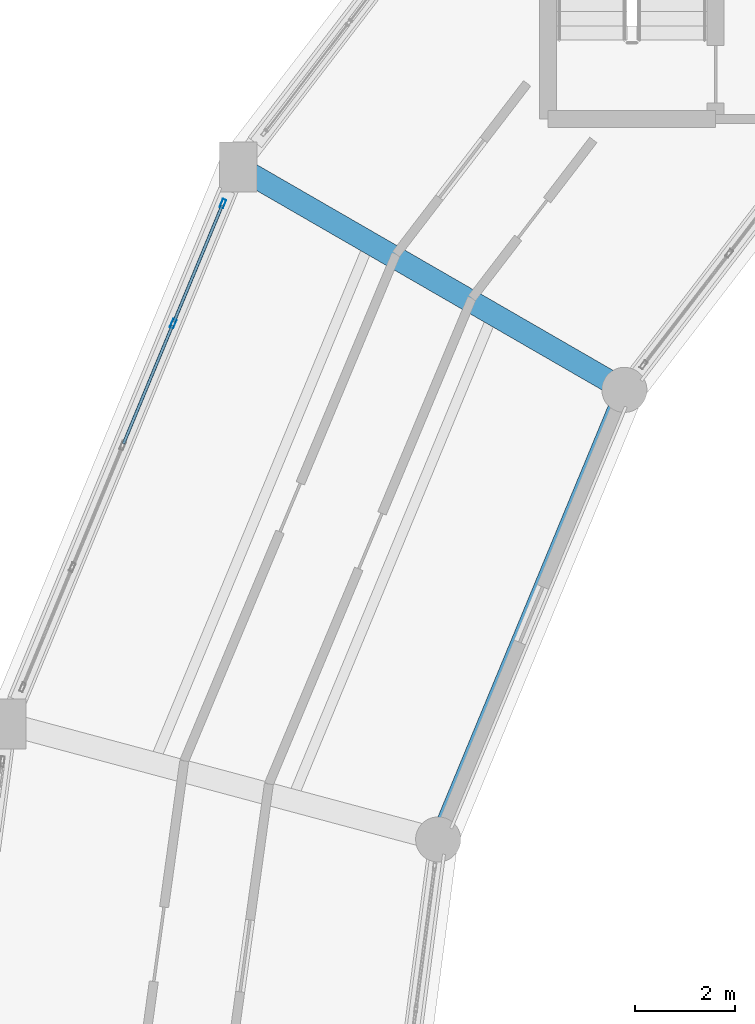
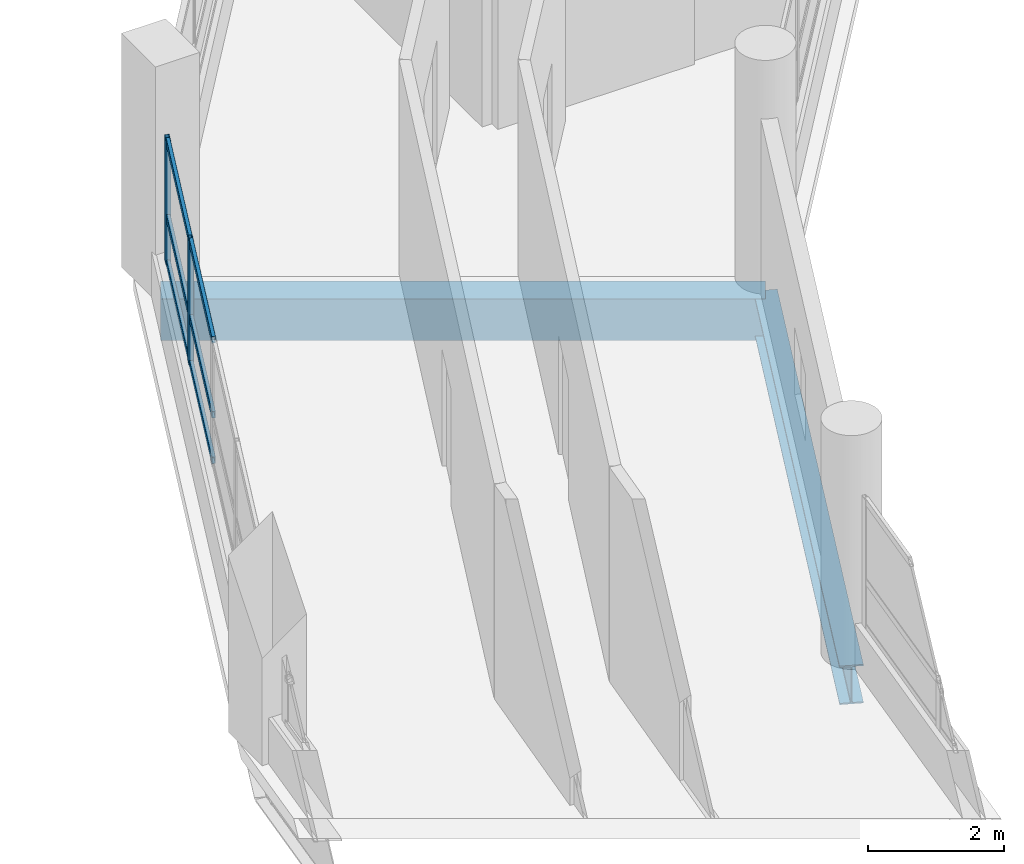
# One storey, part 49 of 128: 8 members, 2 beams, 1 element without a shape of its own.
"""IFC4 building model written with IfcOpenShell, lengths in metres."""

import ifcopenshell
import ifcopenshell.guid

model = None  # the IFC model being written
_history = None  # IfcOwnerHistory: only IFC2X3 demands one
_inside = {}  # id of a spatial element -> (the spatial element, [elements in it])
_under = {}  # id of a project, library or spatial element -> (it, [spatial elements below it])
_declared = {}  # id of a project -> (the project, [libraries it declares])
_typed = {}  # id of a type object -> (the type object, [elements of that type])
_made_of = {}  # id of a material, layer set ... -> (it, [elements and type objects made of it])


def new_model(schema):
    """Start an empty IFC model of exactly this schema.

    Asked for "IFC4X3", IfcOpenShell would pick the latest addendum, in which some entities
    have other attributes; the version numbers below select the first issue.
    IFC2X3 requires an IfcOwnerHistory on every rooted entity: one is made here for all.
    """
    global model, _history
    if schema == "IFC4X3":
        model = ifcopenshell.file(schema_version=(4, 3, 0, 0))
    else:
        model = ifcopenshell.file(schema=schema)
    _inside.clear()
    _under.clear()
    _declared.clear()
    _typed.clear()
    _made_of.clear()
    _history = None
    if model.schema == "IFC2X3":
        org = make("IfcOrganization", Name="unknown")
        user = make(
            "IfcPersonAndOrganization",
            ThePerson=make("IfcPerson", FamilyName="unknown"),
            TheOrganization=org,
        )
        app = make(
            "IfcApplication",
            ApplicationDeveloper=org,
            Version="unknown",
            ApplicationFullName="unknown",
            ApplicationIdentifier="unknown",
        )
        _history = make(
            "IfcOwnerHistory",
            OwningUser=user,
            OwningApplication=app,
            ChangeAction="ADDED",
            CreationDate=0,
        )
    return model


def make(cls, **values):
    """One entity of the class cls with the attributes given. An attribute that is None is left unset."""
    return model.create_entity(
        cls, **{name: value for name, value in values.items() if value is not None}
    )


def rooted(cls, **values):
    """An entity with a GlobalId (a new one), such as an element, a storey or a relation."""
    return make(cls, GlobalId=ifcopenshell.guid.new(), OwnerHistory=_history, **values)


def si_unit(unit_type, name, prefix=None):
    """IfcSIUnit, for example si_unit("LENGTHUNIT", "METRE", prefix="MILLI")."""
    return make("IfcSIUnit", UnitType=unit_type, Prefix=prefix, Name=name)


def assignment(units):
    """IfcUnitAssignment: the units of a project."""
    return None if units is None else make("IfcUnitAssignment", Units=units)


def point(xyz):
    """IfcCartesianPoint."""
    return None if xyz is None else make("IfcCartesianPoint", Coordinates=xyz)


def direction(xyz):
    """IfcDirection."""
    return None if xyz is None else make("IfcDirection", DirectionRatios=xyz)


def frame(location, z_axis=None, x_axis=None):
    """IfcAxis2Placement3D, a coordinate frame: its origin and axes. An axis left out is left unset."""
    return make(
        "IfcAxis2Placement3D",
        Location=point(location),
        Axis=direction(z_axis),
        RefDirection=direction(x_axis),
    )


def frame_2d(location, x_axis=None):
    """IfcAxis2Placement2D, a coordinate frame in the plane: its origin and x axis."""
    return make(
        "IfcAxis2Placement2D", Location=point(location), RefDirection=direction(x_axis)
    )


def origin():
    """The frame at (0, 0, 0) with its axes left unset."""
    return frame((0.0, 0.0, 0.0))


def origin_2d():
    """The frame at (0, 0) in the plane with its x axis left unset."""
    return frame_2d((0.0, 0.0))


def place(relative_to, where):
    """IfcLocalPlacement: puts the frame where relative to a parent placement (None: the world)."""
    return make(
        "IfcLocalPlacement", PlacementRelTo=relative_to, RelativePlacement=where
    )


def context(
    kind, dimensions, precision=None, world=None, true_north=None, identifier=None
):
    """IfcGeometricRepresentationContext, for example the 3D "Model" context."""
    return make(
        "IfcGeometricRepresentationContext",
        ContextIdentifier=identifier,
        ContextType=kind,
        CoordinateSpaceDimension=dimensions,
        Precision=precision,
        WorldCoordinateSystem=world,
        TrueNorth=true_north,
    )


def subcontext(parent, identifier, kind, view, scale=None):
    """IfcGeometricRepresentationSubContext, for example "Body" below "Model"."""
    return make(
        "IfcGeometricRepresentationSubContext",
        ContextIdentifier=identifier,
        ContextType=kind,
        ParentContext=parent,
        TargetScale=scale,
        TargetView=view,
    )


def project(units=None, contexts=None):
    """IfcProject with its units and contexts."""
    return rooted(
        "IfcProject",
        Name="project",
        RepresentationContexts=contexts,
        UnitsInContext=assignment(units),
    )


def spatial(cls, under=None, at=None, **own):
    """A site, building, storey or space (cls), placed at a placement, below another one or the project."""
    s = rooted(cls, ObjectPlacement=at, **own)
    if under is not None:
        _under.setdefault(under.id(), (under, []))[1].append(s)
    return s


def profile(cls, at=None, kind="AREA", **sizes):
    """A parametric profile (cls). Its sizes go by their IFC names, for example OverallWidth=200.0."""
    return make(cls, ProfileType=kind, Position=at, **sizes)


def rectangle(**sizes):
    """IfcRectangleProfileDef."""
    return profile("IfcRectangleProfileDef", **sizes)


def hollow_rectangle(**sizes):
    """IfcRectangleHollowProfileDef."""
    return profile("IfcRectangleHollowProfileDef", **sizes)


def i_section(**sizes):
    """IfcIShapeProfileDef."""
    return profile("IfcIShapeProfileDef", **sizes)


def extrude(swept, where, along, depth):
    """IfcExtrudedAreaSolid: the profile swept, set in the frame where, extruded along a direction by depth."""
    return make(
        "IfcExtrudedAreaSolid",
        SweptArea=swept,
        Position=where,
        ExtrudedDirection=direction(along),
        Depth=depth,
    )


def shape(context_of_items, identifier, shape_type, items):
    """IfcShapeRepresentation: the items that make up one representation, for example the "Body"."""
    return make(
        "IfcShapeRepresentation",
        ContextOfItems=context_of_items,
        RepresentationIdentifier=identifier,
        RepresentationType=shape_type,
        Items=items,
    )


def material(Name=None, Category=None):
    """IfcMaterial."""
    return make("IfcMaterial", Name=Name, Category=Category)


def layer(
    of_material, thickness, ventilated=None, Name=None, Category=None, Priority=None
):
    """IfcMaterialLayer: one layer of a wall or slab, of a material (None: an air gap)."""
    return make(
        "IfcMaterialLayer",
        Material=of_material,
        LayerThickness=thickness,
        IsVentilated=ventilated,
        Name=Name,
        Category=Category,
        Priority=Priority,
    )


def layer_set(layers, Name=None):
    """IfcMaterialLayerSet."""
    return make("IfcMaterialLayerSet", MaterialLayers=layers, LayerSetName=Name)


def material_profile(
    of_material, cross_section, Name=None, Category=None, Priority=None
):
    """IfcMaterialProfile: a cross section and its material."""
    return make(
        "IfcMaterialProfile",
        Name=Name,
        Material=of_material,
        Profile=cross_section,
        Priority=Priority,
        Category=Category,
    )


def profile_set(profiles, Name=None, composite=None):
    """IfcMaterialProfileSet."""
    return make(
        "IfcMaterialProfileSet",
        Name=Name,
        MaterialProfiles=profiles,
        CompositeProfile=composite,
    )


def made_of(thing, what):
    """Note that an element or type object is made of a material, layer set ...; save() writes the relation."""
    if what is not None:
        _made_of.setdefault(what.id(), (what, []))[1].append(thing)
    return thing


def type_object(cls, material=None, **own):
    """A type object (cls), such as IfcWallType, which elements share."""
    return made_of(rooted(cls, **own), material)


def element(
    cls,
    number,
    at=None,
    inside=None,
    cuts=None,
    type_object=None,
    material=None,
    context=None,
    identifier="Body",
    shape_type=None,
    held_by="IfcProductDefinitionShape",
    body=None,
    shapes=None,
    **own,
):
    """One element of the class cls, such as IfcWall. Its Tag is "e" and its number.

    at: its placement. inside: the storey or other place that contains it. cuts: it is an
    opening in that element (IfcRelVoidsElement). A single representation is given by context,
    identifier, shape_type and body (its items); several are given by shapes. held_by: the class
    of the entity that holds the representations. save() writes the other relations.
    """
    e = rooted(cls, Tag="e%d" % number, ObjectPlacement=at, **own)
    if body is not None:
        shapes = [shape(context, identifier, shape_type, body)]
    if shapes is not None:
        e.Representation = make(held_by, Representations=shapes)
    if inside is not None:
        _inside.setdefault(inside.id(), (inside, []))[1].append(e)
    if cuts is not None:
        rooted(
            "IfcRelVoidsElement", RelatingBuildingElement=cuts, RelatedOpeningElement=e
        )
    if type_object is not None:
        _typed.setdefault(type_object.id(), (type_object, []))[1].append(e)
    return made_of(e, material)


def aggregate(whole, parts):
    """IfcRelAggregates: a whole, such as a stair, and the parts it consists of."""
    return rooted("IfcRelAggregates", RelatingObject=whole, RelatedObjects=parts)


def save(model, path):
    """Write the relations noted so far, then the file.

    IfcRelAggregates (storeys below a building ...), IfcRelContainedInSpatialStructure (elements
    in a storey), IfcRelDefinesByType, IfcRelAssociatesMaterial and IfcRelDeclares: one each for
    every whole, place, type object, material and project.
    """
    for whole, parts in _under.values():
        aggregate(whole, parts)
    for where, things in _inside.values():
        rooted(
            "IfcRelContainedInSpatialStructure",
            RelatedElements=things,
            RelatingStructure=where,
        )
    for kind, things in _typed.values():
        rooted("IfcRelDefinesByType", RelatedObjects=things, RelatingType=kind)
    for what, things in _made_of.values():
        rooted("IfcRelAssociatesMaterial", RelatedObjects=things, RelatingMaterial=what)
    for by, libraries in _declared.values():
        rooted("IfcRelDeclares", RelatingContext=by, RelatedDefinitions=libraries)
    model.write(path)


model = new_model("IFC4")

# Units and contexts
model_context = context("Model", 3, precision=1e-05, world=origin(), true_north=direction((0.0, 1.0)))
body_context = subcontext(model_context, "Body", "Model", "MODEL_VIEW")
ifc_project = project(units=[si_unit("LENGTHUNIT", "METRE"), si_unit("AREAUNIT", "SQUARE_METRE"), si_unit("VOLUMEUNIT", "CUBIC_METRE"), si_unit("PLANEANGLEUNIT", "RADIAN"), si_unit("MASSUNIT", "GRAM", prefix="KILO")], contexts=[model_context])

# Site, building, storey
site_placement = place(None, origin())
site = spatial("IfcSite", under=ifc_project, at=site_placement, CompositionType="ELEMENT")
building_placement = place(site_placement, origin())
building = spatial("IfcBuilding", under=site, at=building_placement, Name="Vespera Passage Community Centre", CompositionType="ELEMENT")
storey_placement = place(building_placement, frame((0.0, 0.0, 4.5)))
storey = spatial("IfcBuildingStorey", under=building, at=storey_placement, Name="L01", CompositionType="ELEMENT", Elevation=4.5)

# Beams
ifc_material_1 = material(Name="Concrete f'c 35 MPa", Category="concrete")
ifc_material_profile_1 = material_profile(ifc_material_1, rectangle(XDim=0.449951171875, YDim=0.75, at=origin_2d()), Name="RC450X750")
ifc_profile_set_1 = profile_set([ifc_material_profile_1], Name="Concrete f'c 35 MPa")
beam_type_1 = type_object("IfcBeamType", Name="BM-G-450X750", PredefinedType="BEAM", material=ifc_profile_set_1)
beam_1_placement = place(storey_placement, frame((45.783935546875, 84.10009765625, -0.614990234375), z_axis=(-0.866031643847, 0.499989191739, 0.0), x_axis=(-0.499989191739, -0.866031643847, 0.0)))
element("IfcBeam", 1, at=beam_1_placement, inside=storey, type_object=beam_type_1, Name="V4 L01 Radial Girder 10", PredefinedType="BEAM", context=body_context, shape_type="SweptSolid", body=[
    extrude(rectangle(XDim=0.449951171875, YDim=0.75, at=origin_2d()), origin(), (0.0, 0.0, 1.0), 8.900146484375),
])
ifc_material_2 = material(Name="Steel ASTM A992 Grade 50", Category="steel")
ifc_material_profile_2 = material_profile(ifc_material_2, i_section(OverallWidth=0.3544921875, OverallDepth=0.695556640625, WebThickness=0.015380859375, FlangeThickness=0.024658203125, FilletRadius=0.01513671875, at=origin_2d()), Name="W27X146")
ifc_profile_set_2 = profile_set([ifc_material_profile_2], Name="Steel ASTM A992 Grade 50")
beam_type_2 = type_object("IfcBeamType", Name="BM-SP-W27X146E", PredefinedType="SPANDREL", material=ifc_profile_set_2)
beam_2_placement = place(storey_placement, frame((45.783935546875, 84.10009765625, -0.587890625), z_axis=(-0.382684844258, -0.923878947685, 0.0), x_axis=(0.923878947685, -0.382684844258, 0.0)))
element("IfcBeam", 2, at=beam_2_placement, inside=storey, type_object=beam_type_2, Name="V4 L01 Inner Spandrel 10", PredefinedType="SPANDREL", context=body_context, shape_type="SweptSolid", body=[
    extrude(i_section(OverallWidth=0.3544921875, OverallDepth=0.695556640625, WebThickness=0.015380859375, FlangeThickness=0.024658203125, FilletRadius=0.01513671875, at=origin_2d()), origin(), (0.0, 0.0, 1.0), 9.711181640625),
])

# Curtain wall, members
ifc_material_3 = material(Name="Anodized aluminium 6063-T6", Category="aluminium")
ifc_layer = layer(ifc_material_3, 0.159912109375)
ifc_layer_set = layer_set([ifc_layer], Name="Anodized aluminium 6063-T6")
curtain_wall_type = type_object("IfcCurtainWallType", Name="CW-20E", PredefinedType="NOTDEFINED", material=ifc_layer_set)
curtain_wall_placement = place(storey_placement, origin())
curtain_wall = element("IfcCurtainWall", 3, at=curtain_wall_placement, inside=storey, type_object=curtain_wall_type, Name="V4 L01 Outer Ribbon Curtain Wall 10", PredefinedType="NOTDEFINED")
ifc_material_4 = material(Name="Anodized aluminium 6063-T6", Category="aluminium")
ifc_material_profile_3 = material_profile(ifc_material_4, hollow_rectangle(XDim=0.074951171875, YDim=0.179931640625, WallThickness=0.0048828125, InnerFilletRadius=0.00244140625, OuterFilletRadius=0.0048828125, at=origin_2d()), Name="ALU180X75X5")
ifc_profile_set_3 = profile_set([ifc_material_profile_3], Name="Anodized aluminium 6063-T6")
member_type_1 = type_object("IfcMemberType", Name="MB-CWM-180E", PredefinedType="MULLION", material=ifc_profile_set_3)
member_1_placement = place(storey_placement, frame((36.780029296875, 85.421142578125, 0.820068359375), z_axis=(0.0, 0.0, 1.0), x_axis=(-0.923881309405, 0.382679142535, 0.0)))
member_1 = element("IfcMember", 4, at=member_1_placement, type_object=member_type_1, Name="CW-20E mullion 4", PredefinedType="MULLION", context=body_context, shape_type="SweptSolid", body=[
    extrude(hollow_rectangle(XDim=0.074951171875, YDim=0.179931640625, WallThickness=0.0048828125, InnerFilletRadius=0.00244140625, OuterFilletRadius=0.0048828125, at=origin_2d()), origin(), (0.0, 0.0, 1.0), 2.2255859375),
])
member_2_placement = place(storey_placement, frame((37.7724609375, 87.816650390625, 0.820068359375), z_axis=(0.0, 0.0, 1.0), x_axis=(-0.923881309405, 0.382679142535, 0.0)))
member_2 = element("IfcMember", 5, at=member_2_placement, type_object=member_type_1, Name="CW-20E mullion 5", PredefinedType="MULLION", context=body_context, shape_type="SweptSolid", body=[
    extrude(hollow_rectangle(XDim=0.074951171875, YDim=0.179931640625, WallThickness=0.0048828125, InnerFilletRadius=0.00244140625, OuterFilletRadius=0.0048828125, at=origin_2d()), origin(), (0.0, 0.0, 1.0), 2.2255859375),
])
ifc_material_5 = material(Name="Anodized aluminium 6063-T6", Category="aluminium")
ifc_material_profile_4 = material_profile(ifc_material_5, hollow_rectangle(XDim=0.06005859375, YDim=0.1201171875, WallThickness=0.00390625, InnerFilletRadius=0.001953125, OuterFilletRadius=0.00390625, at=origin_2d()), Name="ALU120X60X4")
ifc_profile_set_4 = profile_set([ifc_material_profile_4], Name="Anodized aluminium 6063-T6")
member_type_2 = type_object("IfcMemberType", Name="MB-CWT-120E", PredefinedType="USERDEFINED", material=ifc_profile_set_4)
member_3_placement = place(storey_placement, frame((35.787841796875, 83.025390625, 0.85009765625), z_axis=(0.382694900027, 0.923874782367, 0.0), x_axis=(-0.923874782367, 0.382694900027, 0.0)))
member_3 = element("IfcMember", 6, at=member_3_placement, type_object=member_type_2, Name="CW-20E transom 3.1", ObjectType="TRANSOM", PredefinedType="USERDEFINED", context=body_context, shape_type="SweptSolid", body=[
    extrude(hollow_rectangle(XDim=0.06005859375, YDim=0.1201171875, WallThickness=0.00390625, InnerFilletRadius=0.001953125, OuterFilletRadius=0.00390625, at=origin_2d()), origin(), (0.0, 0.0, 1.0), 2.5556640625),
])
member_4_placement = place(storey_placement, frame((35.787841796875, 83.025390625, 1.669921875), z_axis=(0.382694900027, 0.923874782367, 0.0), x_axis=(-0.923874782367, 0.382694900027, 0.0)))
member_4 = element("IfcMember", 7, at=member_4_placement, type_object=member_type_2, Name="CW-20E transom 3.2", ObjectType="TRANSOM", PredefinedType="USERDEFINED", context=body_context, shape_type="SweptSolid", body=[
    extrude(hollow_rectangle(XDim=0.06005859375, YDim=0.1201171875, WallThickness=0.00390625, InnerFilletRadius=0.001953125, OuterFilletRadius=0.00390625, at=origin_2d()), origin(), (0.0, 0.0, 1.0), 2.5556640625),
])
member_5_placement = place(storey_placement, frame((35.787841796875, 83.025390625, 3.015625), z_axis=(0.382694900027, 0.923874782367, 0.0), x_axis=(-0.923874782367, 0.382694900027, 0.0)))
member_5 = element("IfcMember", 8, at=member_5_placement, type_object=member_type_2, Name="CW-20E transom 3.3", ObjectType="TRANSOM", PredefinedType="USERDEFINED", context=body_context, shape_type="SweptSolid", body=[
    extrude(hollow_rectangle(XDim=0.06005859375, YDim=0.1201171875, WallThickness=0.00390625, InnerFilletRadius=0.001953125, OuterFilletRadius=0.00390625, at=origin_2d()), origin(), (0.0, 0.0, 1.0), 2.5556640625),
])
member_6_placement = place(storey_placement, frame((36.79443359375, 85.455810546875, 0.85009765625), z_axis=(0.3826800364, 0.923880939159, 0.0), x_axis=(-0.923880939159, 0.3826800364, 0.0)))
member_6 = element("IfcMember", 9, at=member_6_placement, type_object=member_type_2, Name="CW-20E transom 4.1", ObjectType="TRANSOM", PredefinedType="USERDEFINED", context=body_context, shape_type="SweptSolid", body=[
    extrude(hollow_rectangle(XDim=0.06005859375, YDim=0.1201171875, WallThickness=0.00390625, InnerFilletRadius=0.001953125, OuterFilletRadius=0.00390625, at=origin_2d()), origin(), (0.0, 0.0, 1.0), 2.51806640625),
])
member_7_placement = place(storey_placement, frame((36.79443359375, 85.455810546875, 1.669921875), z_axis=(0.3826800364, 0.923880939159, 0.0), x_axis=(-0.923880939159, 0.3826800364, 0.0)))
member_7 = element("IfcMember", 10, at=member_7_placement, type_object=member_type_2, Name="CW-20E transom 4.2", ObjectType="TRANSOM", PredefinedType="USERDEFINED", context=body_context, shape_type="SweptSolid", body=[
    extrude(hollow_rectangle(XDim=0.06005859375, YDim=0.1201171875, WallThickness=0.00390625, InnerFilletRadius=0.001953125, OuterFilletRadius=0.00390625, at=origin_2d()), origin(), (0.0, 0.0, 1.0), 2.51806640625),
])
member_8_placement = place(storey_placement, frame((36.79443359375, 85.455810546875, 3.015625), z_axis=(0.3826800364, 0.923880939159, 0.0), x_axis=(-0.923880939159, 0.3826800364, 0.0)))
member_8 = element("IfcMember", 11, at=member_8_placement, type_object=member_type_2, Name="CW-20E transom 4.3", ObjectType="TRANSOM", PredefinedType="USERDEFINED", context=body_context, shape_type="SweptSolid", body=[
    extrude(hollow_rectangle(XDim=0.06005859375, YDim=0.1201171875, WallThickness=0.00390625, InnerFilletRadius=0.001953125, OuterFilletRadius=0.00390625, at=origin_2d()), origin(), (0.0, 0.0, 1.0), 2.51806640625),
])
aggregate(curtain_wall, [member_1, member_2, member_3, member_4, member_5, member_6, member_7, member_8])

save(model, "model.ifc")
